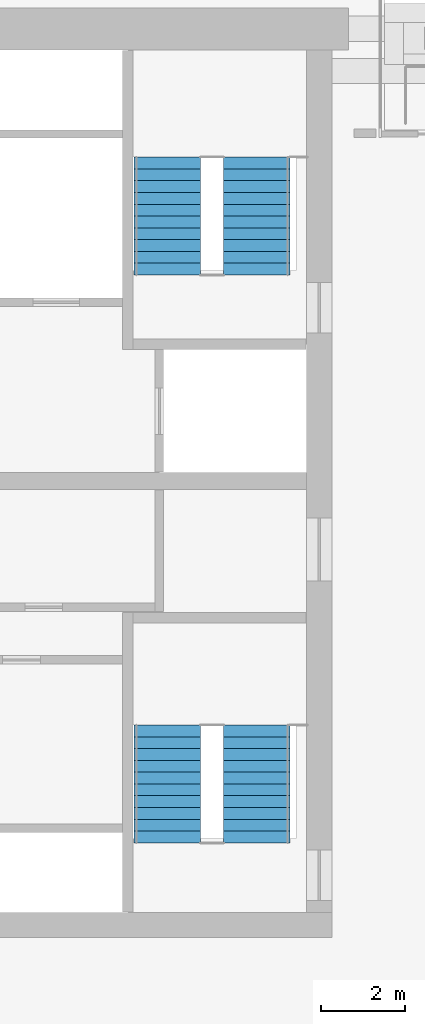
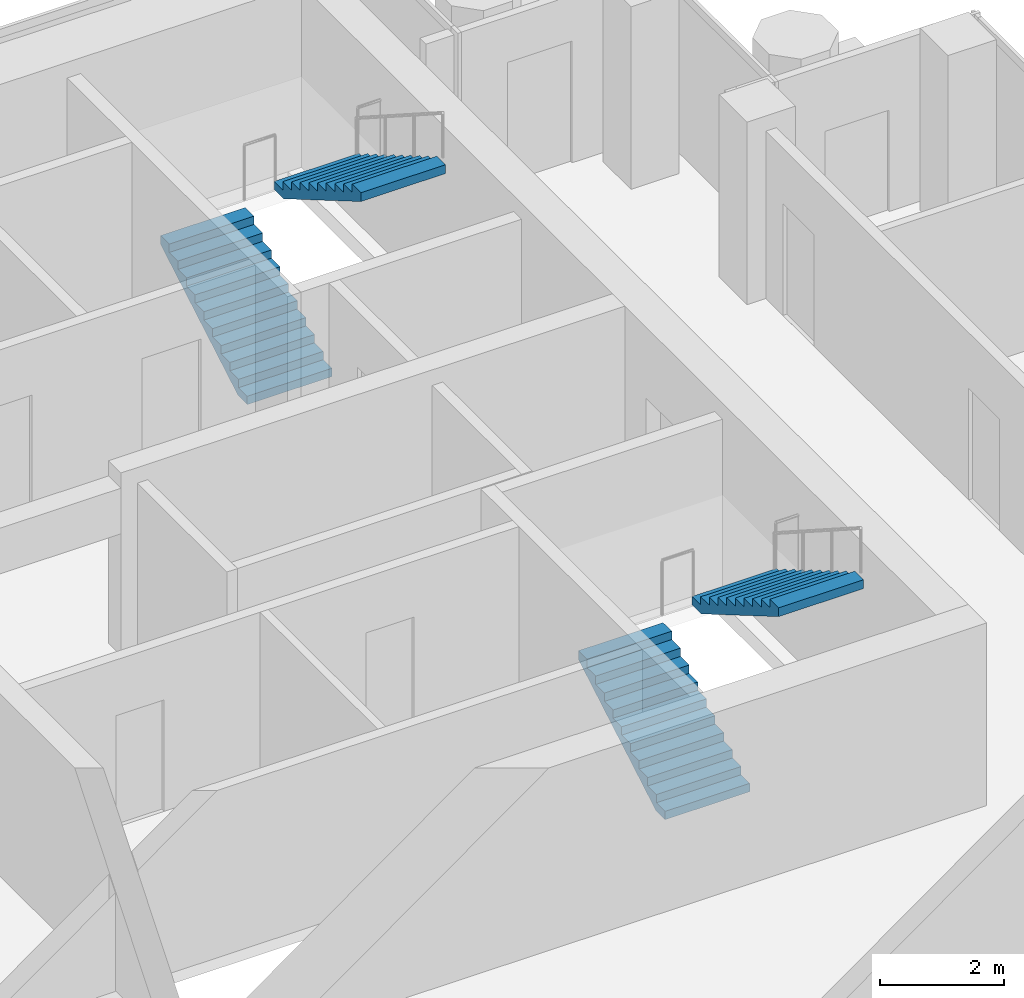
# One storey, part 15 of 18: 4 stair flights, 2 elements without a shape of their own.
"""IFC4 building model written with IfcOpenShell, lengths in metres."""

from ifc_helpers import new_model, si_unit, direction, frame, origin, place, context, subcontext, project, spatial, polyline, outline, extrude, material, type_object, element, aggregate, save


model = new_model("IFC4")

# Units and contexts
model_context = context("Model", 3, precision=1e-05, world=origin(), true_north=direction((0.0, 1.0)))
body_context = subcontext(model_context, "Body", "Model", "MODEL_VIEW")
ifc_project = project(units=[si_unit("LENGTHUNIT", "METRE"), si_unit("AREAUNIT", "SQUARE_METRE"), si_unit("VOLUMEUNIT", "CUBIC_METRE"), si_unit("PLANEANGLEUNIT", "RADIAN"), si_unit("MASSUNIT", "GRAM", prefix="KILO")], contexts=[model_context])

# Site, building, storey
site_placement = place(None, origin())
site = spatial("IfcSite", under=ifc_project, at=site_placement, CompositionType="ELEMENT")
building_placement = place(site_placement, origin())
building = spatial("IfcBuilding", under=site, at=building_placement, Name="Pilkhan Gate Tower", CompositionType="ELEMENT")
storey_placement = place(building_placement, frame((0.0, 0.0, 235.5)))
storey = spatial("IfcBuildingStorey", under=building, at=storey_placement, Name="L61", CompositionType="ELEMENT", Elevation=235.5)

# Stair, stair flights
ifc_material = material(Name="Concrete C40/50 precast", Category="concrete")
stair_type_1 = type_object("IfcStairType", Name="Stair ST1 164x280", PredefinedType="HALF_TURN_STAIR", material=ifc_material)
stair_1_placement = place(storey_placement, origin())
stair_1 = element("IfcStair", 1, at=stair_1_placement, inside=storey, type_object=stair_type_1, Name="Stair ST1 L61", PredefinedType="HALF_TURN_STAIR")
stair_flight_type_1 = type_object("IfcStairFlightType", Name="Stair flight ST1 164x280x11", PredefinedType="STRAIGHT", material=ifc_material)
stair_flight_1_placement = place(storey_placement, frame((85.68994140625, 73.89990234375, 0.0), z_axis=(0.0, 0.0, 1.0), x_axis=(0.0, 1.0, 0.0)))
stair_flight_1 = element("IfcStairFlight", 2, at=stair_flight_1_placement, type_object=stair_flight_type_1, Name="ST1 flight 1", NumberOfRisers=11, NumberOfTreads=10, PredefinedType="STRAIGHT", RiserHeight=0.163636364, TreadLength=0.28, context=body_context, shape_type="SweptSolid", body=[
    extrude(outline(polyline([(0.0, 0.0), (0.0, 0.16357421875), (0.280029296875, 0.16357421875), (0.280029296875, 0.327392578125), (0.56005859375, 0.327392578125), (0.56005859375, 0.490966796875), (0.840087890625, 0.490966796875), (0.840087890625, 0.654541015625), (1.1201171875, 0.654541015625), (1.1201171875, 0.818115234375), (1.39990234375, 0.818115234375), (1.39990234375, 0.98193359375), (1.679931640625, 0.98193359375), (1.679931640625, 1.1455078125), (1.9599609375, 1.1455078125), (1.9599609375, 1.30908203125), (2.239990234375, 1.30908203125), (2.239990234375, 1.47265625), (2.52001953125, 1.47265625), (2.52001953125, 1.636474609375), (2.800048828125, 1.636474609375), (2.800048828125, 1.800048828125), (2.800048828125, 1.462646484375), (0.297119140625, 0.0), (0.0, 0.0)])), frame((0.0, 0.7900390625, 0.0), z_axis=(0.0, -1.0, 0.0), x_axis=(1.0, 0.0, 0.0)), (0.0, 0.0, 1.0), 1.580078125),
])
stair_flight_2_placement = place(storey_placement, frame((87.81005859375, 76.699951171875, 1.800048828125), z_axis=(0.0, 0.0, 1.0), x_axis=(0.0, -1.0, 0.0)))
stair_flight_2 = element("IfcStairFlight", 3, at=stair_flight_2_placement, type_object=stair_flight_type_1, Name="ST1 flight 2", NumberOfRisers=11, NumberOfTreads=10, PredefinedType="STRAIGHT", RiserHeight=0.163636364, TreadLength=0.28, context=body_context, shape_type="SweptSolid", body=[
    extrude(outline(polyline([(0.0, 0.0), (0.0, 0.16357421875), (0.280029296875, 0.16357421875), (0.280029296875, 0.327392578125), (0.56005859375, 0.327392578125), (0.56005859375, 0.490966796875), (0.840087890625, 0.490966796875), (0.840087890625, 0.654541015625), (1.1201171875, 0.654541015625), (1.1201171875, 0.818115234375), (1.39990234375, 0.818115234375), (1.39990234375, 0.98193359375), (1.679931640625, 0.98193359375), (1.679931640625, 1.1455078125), (1.9599609375, 1.1455078125), (1.9599609375, 1.30908203125), (2.239990234375, 1.30908203125), (2.239990234375, 1.47265625), (2.52001953125, 1.47265625), (2.52001953125, 1.636474609375), (2.800048828125, 1.636474609375), (2.800048828125, 1.800048828125), (2.800048828125, 1.462646484375), (0.297119140625, 0.0), (0.0, 0.0)])), frame((0.0, 0.7900390625, 0.0), z_axis=(0.0, -1.0, 0.0), x_axis=(1.0, 0.0, 0.0)), (0.0, 0.0, 1.0), 1.580078125),
])
aggregate(stair_1, [stair_flight_1, stair_flight_2])

stair_type_2 = type_object("IfcStairType", Name="Stair ST4 164x280", PredefinedType="HALF_TURN_STAIR", material=ifc_material)
stair_2_placement = place(storey_placement, origin())
stair_2 = element("IfcStair", 4, at=stair_2_placement, inside=storey, type_object=stair_type_2, Name="Stair ST4 L61", PredefinedType="HALF_TURN_STAIR")
stair_flight_type_2 = type_object("IfcStairFlightType", Name="Stair flight ST4 164x280x11", PredefinedType="STRAIGHT", material=ifc_material)
stair_flight_3_placement = place(storey_placement, frame((85.68994140625, 87.39990234375, 0.0), z_axis=(0.0, 0.0, 1.0), x_axis=(0.0, 1.0, 0.0)))
stair_flight_3 = element("IfcStairFlight", 5, at=stair_flight_3_placement, type_object=stair_flight_type_2, Name="ST4 flight 1", NumberOfRisers=11, NumberOfTreads=10, PredefinedType="STRAIGHT", RiserHeight=0.163636364, TreadLength=0.28, context=body_context, shape_type="SweptSolid", body=[
    extrude(outline(polyline([(0.0, 0.0), (0.0, 0.16357421875), (0.280029296875, 0.16357421875), (0.280029296875, 0.327392578125), (0.56005859375, 0.327392578125), (0.56005859375, 0.490966796875), (0.840087890625, 0.490966796875), (0.840087890625, 0.654541015625), (1.1201171875, 0.654541015625), (1.1201171875, 0.818115234375), (1.39990234375, 0.818115234375), (1.39990234375, 0.98193359375), (1.679931640625, 0.98193359375), (1.679931640625, 1.1455078125), (1.9599609375, 1.1455078125), (1.9599609375, 1.30908203125), (2.239990234375, 1.30908203125), (2.239990234375, 1.47265625), (2.52001953125, 1.47265625), (2.52001953125, 1.636474609375), (2.800048828125, 1.636474609375), (2.800048828125, 1.800048828125), (2.800048828125, 1.462646484375), (0.297119140625, 0.0), (0.0, 0.0)])), frame((0.0, 0.7900390625, 0.0), z_axis=(0.0, -1.0, 0.0), x_axis=(1.0, 0.0, 0.0)), (0.0, 0.0, 1.0), 1.580078125),
])
stair_flight_4_placement = place(storey_placement, frame((87.81005859375, 90.199951171875, 1.800048828125), z_axis=(0.0, 0.0, 1.0), x_axis=(0.0, -1.0, 0.0)))
stair_flight_4 = element("IfcStairFlight", 6, at=stair_flight_4_placement, type_object=stair_flight_type_2, Name="ST4 flight 2", NumberOfRisers=11, NumberOfTreads=10, PredefinedType="STRAIGHT", RiserHeight=0.163636364, TreadLength=0.28, context=body_context, shape_type="SweptSolid", body=[
    extrude(outline(polyline([(0.0, 0.0), (0.0, 0.16357421875), (0.280029296875, 0.16357421875), (0.280029296875, 0.327392578125), (0.56005859375, 0.327392578125), (0.56005859375, 0.490966796875), (0.840087890625, 0.490966796875), (0.840087890625, 0.654541015625), (1.1201171875, 0.654541015625), (1.1201171875, 0.818115234375), (1.39990234375, 0.818115234375), (1.39990234375, 0.98193359375), (1.679931640625, 0.98193359375), (1.679931640625, 1.1455078125), (1.9599609375, 1.1455078125), (1.9599609375, 1.30908203125), (2.239990234375, 1.30908203125), (2.239990234375, 1.47265625), (2.52001953125, 1.47265625), (2.52001953125, 1.636474609375), (2.800048828125, 1.636474609375), (2.800048828125, 1.800048828125), (2.800048828125, 1.462646484375), (0.297119140625, 0.0), (0.0, 0.0)])), frame((0.0, 0.7900390625, 0.0), z_axis=(0.0, -1.0, 0.0), x_axis=(1.0, 0.0, 0.0)), (0.0, 0.0, 1.0), 1.580078125),
])
aggregate(stair_2, [stair_flight_3, stair_flight_4])

save(model, "model.ifc")
